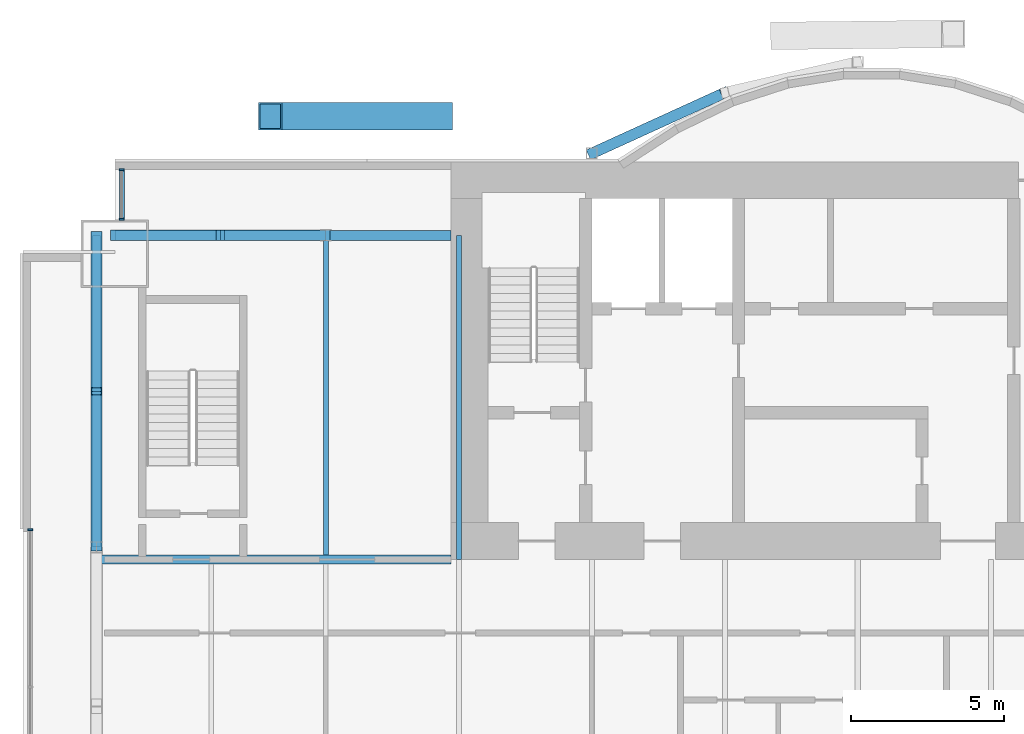
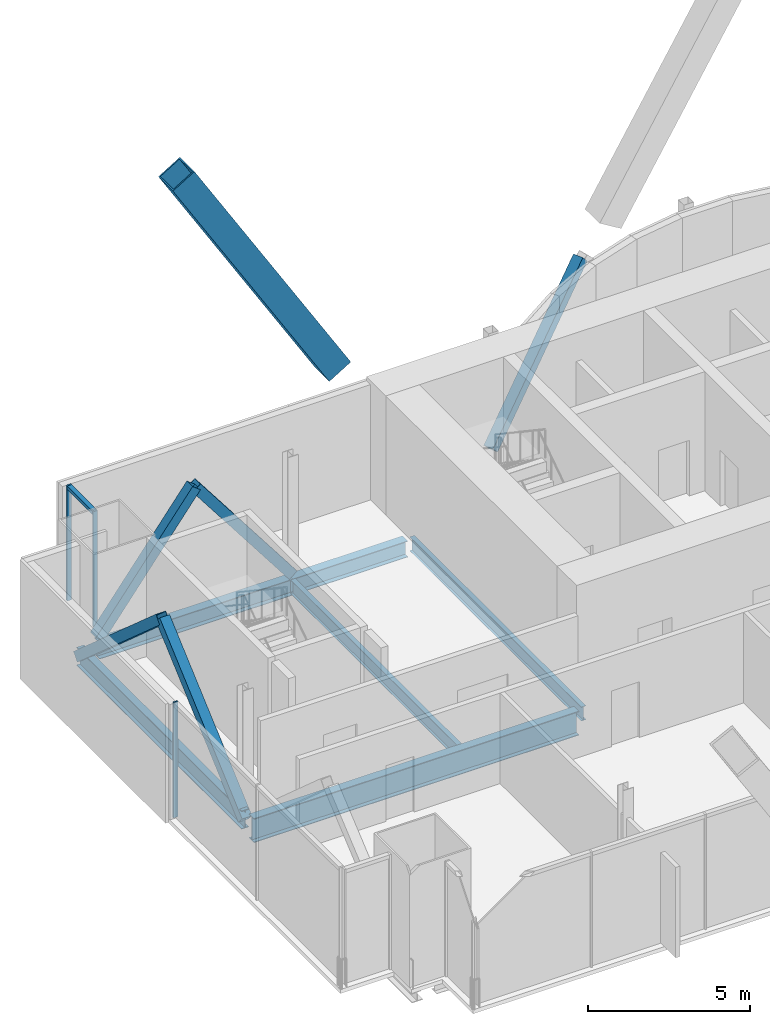
# One storey, part 7 of 19: 10 members, 6 beams, 2 elements without a shape of their own.
"""IFC4 building model written with IfcOpenShell, lengths in metres."""

import ifcopenshell
import ifcopenshell.guid

model = None  # the IFC model being written
_history = None  # IfcOwnerHistory: only IFC2X3 demands one
_inside = {}  # id of a spatial element -> (the spatial element, [elements in it])
_under = {}  # id of a project, library or spatial element -> (it, [spatial elements below it])
_declared = {}  # id of a project -> (the project, [libraries it declares])
_typed = {}  # id of a type object -> (the type object, [elements of that type])
_made_of = {}  # id of a material, layer set ... -> (it, [elements and type objects made of it])


def new_model(schema):
    """Start an empty IFC model of exactly this schema.

    Asked for "IFC4X3", IfcOpenShell would pick the latest addendum, in which some entities
    have other attributes; the version numbers below select the first issue.
    IFC2X3 requires an IfcOwnerHistory on every rooted entity: one is made here for all.
    """
    global model, _history
    if schema == "IFC4X3":
        model = ifcopenshell.file(schema_version=(4, 3, 0, 0))
    else:
        model = ifcopenshell.file(schema=schema)
    _inside.clear()
    _under.clear()
    _declared.clear()
    _typed.clear()
    _made_of.clear()
    _history = None
    if model.schema == "IFC2X3":
        org = make("IfcOrganization", Name="unknown")
        user = make(
            "IfcPersonAndOrganization",
            ThePerson=make("IfcPerson", FamilyName="unknown"),
            TheOrganization=org,
        )
        app = make(
            "IfcApplication",
            ApplicationDeveloper=org,
            Version="unknown",
            ApplicationFullName="unknown",
            ApplicationIdentifier="unknown",
        )
        _history = make(
            "IfcOwnerHistory",
            OwningUser=user,
            OwningApplication=app,
            ChangeAction="ADDED",
            CreationDate=0,
        )
    return model


def make(cls, **values):
    """One entity of the class cls with the attributes given. An attribute that is None is left unset."""
    return model.create_entity(
        cls, **{name: value for name, value in values.items() if value is not None}
    )


def rooted(cls, **values):
    """An entity with a GlobalId (a new one), such as an element, a storey or a relation."""
    return make(cls, GlobalId=ifcopenshell.guid.new(), OwnerHistory=_history, **values)


def si_unit(unit_type, name, prefix=None):
    """IfcSIUnit, for example si_unit("LENGTHUNIT", "METRE", prefix="MILLI")."""
    return make("IfcSIUnit", UnitType=unit_type, Prefix=prefix, Name=name)


def assignment(units):
    """IfcUnitAssignment: the units of a project."""
    return None if units is None else make("IfcUnitAssignment", Units=units)


def point(xyz):
    """IfcCartesianPoint."""
    return None if xyz is None else make("IfcCartesianPoint", Coordinates=xyz)


def direction(xyz):
    """IfcDirection."""
    return None if xyz is None else make("IfcDirection", DirectionRatios=xyz)


def frame(location, z_axis=None, x_axis=None):
    """IfcAxis2Placement3D, a coordinate frame: its origin and axes. An axis left out is left unset."""
    return make(
        "IfcAxis2Placement3D",
        Location=point(location),
        Axis=direction(z_axis),
        RefDirection=direction(x_axis),
    )


def frame_2d(location, x_axis=None):
    """IfcAxis2Placement2D, a coordinate frame in the plane: its origin and x axis."""
    return make(
        "IfcAxis2Placement2D", Location=point(location), RefDirection=direction(x_axis)
    )


def origin():
    """The frame at (0, 0, 0) with its axes left unset."""
    return frame((0.0, 0.0, 0.0))


def origin_2d():
    """The frame at (0, 0) in the plane with its x axis left unset."""
    return frame_2d((0.0, 0.0))


def place(relative_to, where):
    """IfcLocalPlacement: puts the frame where relative to a parent placement (None: the world)."""
    return make(
        "IfcLocalPlacement", PlacementRelTo=relative_to, RelativePlacement=where
    )


def context(
    kind, dimensions, precision=None, world=None, true_north=None, identifier=None
):
    """IfcGeometricRepresentationContext, for example the 3D "Model" context."""
    return make(
        "IfcGeometricRepresentationContext",
        ContextIdentifier=identifier,
        ContextType=kind,
        CoordinateSpaceDimension=dimensions,
        Precision=precision,
        WorldCoordinateSystem=world,
        TrueNorth=true_north,
    )


def subcontext(parent, identifier, kind, view, scale=None):
    """IfcGeometricRepresentationSubContext, for example "Body" below "Model"."""
    return make(
        "IfcGeometricRepresentationSubContext",
        ContextIdentifier=identifier,
        ContextType=kind,
        ParentContext=parent,
        TargetScale=scale,
        TargetView=view,
    )


def project(units=None, contexts=None):
    """IfcProject with its units and contexts."""
    return rooted(
        "IfcProject",
        Name="project",
        RepresentationContexts=contexts,
        UnitsInContext=assignment(units),
    )


def spatial(cls, under=None, at=None, **own):
    """A site, building, storey or space (cls), placed at a placement, below another one or the project."""
    s = rooted(cls, ObjectPlacement=at, **own)
    if under is not None:
        _under.setdefault(under.id(), (under, []))[1].append(s)
    return s


def profile(cls, at=None, kind="AREA", **sizes):
    """A parametric profile (cls). Its sizes go by their IFC names, for example OverallWidth=200.0."""
    return make(cls, ProfileType=kind, Position=at, **sizes)


def rectangle(**sizes):
    """IfcRectangleProfileDef."""
    return profile("IfcRectangleProfileDef", **sizes)


def hollow_rectangle(**sizes):
    """IfcRectangleHollowProfileDef."""
    return profile("IfcRectangleHollowProfileDef", **sizes)


def i_section(**sizes):
    """IfcIShapeProfileDef."""
    return profile("IfcIShapeProfileDef", **sizes)


def extrude(swept, where, along, depth):
    """IfcExtrudedAreaSolid: the profile swept, set in the frame where, extruded along a direction by depth."""
    return make(
        "IfcExtrudedAreaSolid",
        SweptArea=swept,
        Position=where,
        ExtrudedDirection=direction(along),
        Depth=depth,
    )


def shape(context_of_items, identifier, shape_type, items):
    """IfcShapeRepresentation: the items that make up one representation, for example the "Body"."""
    return make(
        "IfcShapeRepresentation",
        ContextOfItems=context_of_items,
        RepresentationIdentifier=identifier,
        RepresentationType=shape_type,
        Items=items,
    )


def material(Name=None, Category=None):
    """IfcMaterial."""
    return make("IfcMaterial", Name=Name, Category=Category)


def material_profile(
    of_material, cross_section, Name=None, Category=None, Priority=None
):
    """IfcMaterialProfile: a cross section and its material."""
    return make(
        "IfcMaterialProfile",
        Name=Name,
        Material=of_material,
        Profile=cross_section,
        Priority=Priority,
        Category=Category,
    )


def profile_set(profiles, Name=None, composite=None):
    """IfcMaterialProfileSet."""
    return make(
        "IfcMaterialProfileSet",
        Name=Name,
        MaterialProfiles=profiles,
        CompositeProfile=composite,
    )


def made_of(thing, what):
    """Note that an element or type object is made of a material, layer set ...; save() writes the relation."""
    if what is not None:
        _made_of.setdefault(what.id(), (what, []))[1].append(thing)
    return thing


def type_object(cls, material=None, **own):
    """A type object (cls), such as IfcWallType, which elements share."""
    return made_of(rooted(cls, **own), material)


def element(
    cls,
    number,
    at=None,
    inside=None,
    cuts=None,
    type_object=None,
    material=None,
    context=None,
    identifier="Body",
    shape_type=None,
    held_by="IfcProductDefinitionShape",
    body=None,
    shapes=None,
    **own,
):
    """One element of the class cls, such as IfcWall. Its Tag is "e" and its number.

    at: its placement. inside: the storey or other place that contains it. cuts: it is an
    opening in that element (IfcRelVoidsElement). A single representation is given by context,
    identifier, shape_type and body (its items); several are given by shapes. held_by: the class
    of the entity that holds the representations. save() writes the other relations.
    """
    e = rooted(cls, Tag="e%d" % number, ObjectPlacement=at, **own)
    if body is not None:
        shapes = [shape(context, identifier, shape_type, body)]
    if shapes is not None:
        e.Representation = make(held_by, Representations=shapes)
    if inside is not None:
        _inside.setdefault(inside.id(), (inside, []))[1].append(e)
    if cuts is not None:
        rooted(
            "IfcRelVoidsElement", RelatingBuildingElement=cuts, RelatedOpeningElement=e
        )
    if type_object is not None:
        _typed.setdefault(type_object.id(), (type_object, []))[1].append(e)
    return made_of(e, material)


def aggregate(whole, parts):
    """IfcRelAggregates: a whole, such as a stair, and the parts it consists of."""
    return rooted("IfcRelAggregates", RelatingObject=whole, RelatedObjects=parts)


def save(model, path):
    """Write the relations noted so far, then the file.

    IfcRelAggregates (storeys below a building ...), IfcRelContainedInSpatialStructure (elements
    in a storey), IfcRelDefinesByType, IfcRelAssociatesMaterial and IfcRelDeclares: one each for
    every whole, place, type object, material and project.
    """
    for whole, parts in _under.values():
        aggregate(whole, parts)
    for where, things in _inside.values():
        rooted(
            "IfcRelContainedInSpatialStructure",
            RelatedElements=things,
            RelatingStructure=where,
        )
    for kind, things in _typed.values():
        rooted("IfcRelDefinesByType", RelatedObjects=things, RelatingType=kind)
    for what, things in _made_of.values():
        rooted("IfcRelAssociatesMaterial", RelatedObjects=things, RelatingMaterial=what)
    for by, libraries in _declared.values():
        rooted("IfcRelDeclares", RelatingContext=by, RelatedDefinitions=libraries)
    model.write(path)


model = new_model("IFC4")

# Units and contexts
model_context = context("Model", 3, precision=1e-05, world=origin(), true_north=direction((0.0, 1.0)))
body_context = subcontext(model_context, "Body", "Model", "MODEL_VIEW")
ifc_project = project(units=[si_unit("LENGTHUNIT", "METRE"), si_unit("AREAUNIT", "SQUARE_METRE"), si_unit("VOLUMEUNIT", "CUBIC_METRE"), si_unit("PLANEANGLEUNIT", "RADIAN"), si_unit("MASSUNIT", "GRAM", prefix="KILO")], contexts=[model_context])

# Site, building, storey
site_placement = place(None, origin())
site = spatial("IfcSite", under=ifc_project, at=site_placement, CompositionType="ELEMENT")
building_placement = place(site_placement, origin())
building = spatial("IfcBuilding", under=site, at=building_placement, Name="Bicima Exchange Tower", CompositionType="ELEMENT")
storey_placement = place(building_placement, frame((0.0, 0.0, 324.5)))
storey = spatial("IfcBuildingStorey", under=building, at=storey_placement, Name="L73", CompositionType="ELEMENT", Elevation=324.5)

# Beam
ifc_material_1 = material(Name="Steel ASTM A992 Gr 50", Category="steel")
ifc_material_profile_1 = material_profile(ifc_material_1, i_section(OverallWidth=0.3046875, OverallDepth=0.911865234375, WebThickness=0.015869140625, FlangeThickness=0.02392578125, at=origin_2d()))
ifc_profile_set_1 = profile_set([ifc_material_profile_1], Name="Steel ASTM A992 Gr 50")
beam_type_1 = type_object("IfcBeamType", Name="Core-line girder W36x150", PredefinedType="BEAM", material=ifc_profile_set_1)
beam_1_placement = place(storey_placement, frame((-22.0, -13.0, -0.60595703125), z_axis=(-1.0, 0.0, 0.0), x_axis=(0.0, -1.0, 0.0)))
element("IfcBeam", 1, at=beam_1_placement, inside=storey, type_object=beam_type_1, Name="Core-line girder", PredefinedType="BEAM", context=body_context, shape_type="SweptSolid", body=[
    extrude(i_section(OverallWidth=0.3046875, OverallDepth=0.911865234375, WebThickness=0.015869140625, FlangeThickness=0.02392578125, at=origin_2d()), origin(), (0.0, 0.0, 1.0), 11.60009765625),
])

# Curtain wall, member
ifc_material_2 = material(Name="Anodised bronze aluminium", Category="aluminium")
curtain_wall_type_1 = type_object("IfcCurtainWallType", Name="End face glass wall", PredefinedType="NOTDEFINED", material=ifc_material_2)
curtain_wall_1_placement = place(storey_placement, origin())
curtain_wall_1 = element("IfcCurtainWall", 2, at=curtain_wall_1_placement, inside=storey, type_object=curtain_wall_type_1, Name="End face glass wall L73 run 2", PredefinedType="NOTDEFINED")
ifc_material_profile_2 = material_profile(ifc_material_2, rectangle(XDim=0.159912109375, YDim=0.06005859375, at=origin_2d()))
ifc_profile_set_2 = profile_set([ifc_material_profile_2], Name="Anodised bronze aluminium")
member_type_1 = type_object("IfcMemberType", Name="End face glass wall mullion 60 x 160", PredefinedType="MULLION", material=ifc_profile_set_2)
member_1_placement = place(storey_placement, frame((-35.77001953125, -12.030029296875, 0.0), z_axis=(0.0, 0.0, 1.0), x_axis=(1.0, 0.0, 0.0)))
member_1 = element("IfcMember", 3, at=member_1_placement, type_object=member_type_1, Name="End face glass wall mullion 1", PredefinedType="MULLION", context=body_context, shape_type="SweptSolid", body=[
    extrude(rectangle(XDim=0.159912109375, YDim=0.06005859375, at=origin_2d()), origin(), (0.0, 0.0, 1.0), 4.35009765625),
])
aggregate(curtain_wall_1, [member_1])

# Beam
ifc_material_profile_3 = material_profile(ifc_material_1, i_section(OverallWidth=0.256591796875, OverallDepth=0.693359375, WebThickness=0.014404296875, FlangeThickness=0.023681640625, at=origin_2d()))
ifc_profile_set_3 = profile_set([ifc_material_profile_3], Name="Steel ASTM A992 Gr 50")
beam_type_2 = type_object("IfcBeamType", Name="End girder W27x114", PredefinedType="BEAM", material=ifc_profile_set_3)
beam_2_placement = place(storey_placement, frame((-33.60009765625, -2.39990234375, -0.49658203125), z_axis=(0.0, -1.0, 0.0), x_axis=(1.0, 0.0, 0.0)))
element("IfcBeam", 4, at=beam_2_placement, inside=storey, type_object=beam_type_2, Name="End girder", PredefinedType="BEAM", context=body_context, shape_type="SweptSolid", body=[
    extrude(i_section(OverallWidth=0.256591796875, OverallDepth=0.693359375, WebThickness=0.014404296875, FlangeThickness=0.023681640625, at=origin_2d()), origin(), (0.0, 0.0, 1.0), 10.2001953125),
])

# Member
ifc_material_3 = material(Name="Steel ASTM A572 Gr 50", Category="steel")
ifc_material_profile_4 = material_profile(ifc_material_3, hollow_rectangle(XDim=0.89990234375, YDim=0.89990234375, WallThickness=0.050048828125, at=origin_2d()))
ifc_profile_set_4 = profile_set([ifc_material_profile_4], Name="Steel ASTM A572 Gr 50")
member_type_2 = type_object("IfcMemberType", Name="Exo mega brace BOX 900x900x50", PredefinedType="BRACE", material=ifc_profile_set_4)
member_2_placement = place(storey_placement, frame((-22.333251953125, 1.5, 4.166748046875), z_axis=(-0.521243487082, 0.0, 0.853408007447), x_axis=(0.0, -1.0, 0.0)))
element("IfcMember", 5, at=member_2_placement, inside=storey, type_object=member_type_2, Name="Exo mega brace rear", PredefinedType="BRACE", context=body_context, shape_type="SweptSolid", body=[
    extrude(hollow_rectangle(XDim=0.89990234375, YDim=0.89990234375, WallThickness=0.050048828125, at=origin_2d()), origin(), (0.0, 0.0, 1.0), 10.7119140625),
])

# Beams
ifc_material_profile_5 = material_profile(ifc_material_1, i_section(OverallWidth=0.165771484375, OverallDepth=0.5283203125, WebThickness=0.009765625, FlangeThickness=0.013671875, at=origin_2d()))
ifc_profile_set_5 = profile_set([ifc_material_profile_5], Name="Steel ASTM A992 Gr 50")
beam_type_3 = type_object("IfcBeamType", Name="Floor beam W21x50", PredefinedType="JOIST", material=ifc_profile_set_5)
beam_3_placement = place(storey_placement, frame((-26.10009765625, -2.5625, -0.414306640625), z_axis=(0.0, -1.0, 0.0), x_axis=(1.0, 0.0, 0.0)))
element("IfcBeam", 6, at=beam_3_placement, inside=storey, type_object=beam_type_3, Name="Floor beam", PredefinedType="JOIST", context=body_context, shape_type="SweptSolid", body=[
    extrude(i_section(OverallWidth=0.165771484375, OverallDepth=0.5283203125, WebThickness=0.009765625, FlangeThickness=0.013671875, at=origin_2d()), origin(), (0.0, 0.0, 1.0), 10.28515625),
])
beam_4_placement = place(storey_placement, frame((-21.75, -2.39990234375, -0.414306640625), z_axis=(0.0, -1.0, 0.0), x_axis=(1.0, 0.0, 0.0)))
element("IfcBeam", 7, at=beam_4_placement, inside=storey, type_object=beam_type_3, Name="Floor beam", PredefinedType="JOIST", context=body_context, shape_type="SweptSolid", body=[
    extrude(i_section(OverallWidth=0.165771484375, OverallDepth=0.5283203125, WebThickness=0.009765625, FlangeThickness=0.013671875, at=origin_2d()), origin(), (0.0, 0.0, 1.0), 10.60009765625),
])

# Curtain wall, members
curtain_wall_type_2 = type_object("IfcCurtainWallType", Name="Front glass wall", PredefinedType="NOTDEFINED", material=ifc_material_2)
curtain_wall_2_placement = place(storey_placement, origin())
curtain_wall_2 = element("IfcCurtainWall", 8, at=curtain_wall_2_placement, inside=storey, type_object=curtain_wall_type_2, Name="Front glass wall L73 run 1", PredefinedType="NOTDEFINED")
member_type_3 = type_object("IfcMemberType", Name="Front glass wall mullion 60 x 160", PredefinedType="MULLION", material=ifc_profile_set_2)
member_3_placement = place(storey_placement, frame((-32.77001953125, -0.260009765625, 0.0), z_axis=(0.0, 0.0, 1.0), x_axis=(1.0, 0.0, 0.0)))
member_3 = element("IfcMember", 9, at=member_3_placement, type_object=member_type_3, Name="Front glass wall mullion 1", PredefinedType="MULLION", context=body_context, shape_type="SweptSolid", body=[
    extrude(rectangle(XDim=0.159912109375, YDim=0.06005859375, at=origin_2d()), origin(), (0.0, 0.0, 1.0), 4.35009765625),
])
member_4_placement = place(storey_placement, frame((-32.77001953125, -1.8701171875, 0.0), z_axis=(0.0, 0.0, 1.0), x_axis=(1.0, 0.0, 0.0)))
member_4 = element("IfcMember", 10, at=member_4_placement, type_object=member_type_3, Name="Front glass wall mullion 2", PredefinedType="MULLION", context=body_context, shape_type="SweptSolid", body=[
    extrude(rectangle(XDim=0.159912109375, YDim=0.06005859375, at=origin_2d()), origin(), (0.0, 0.0, 1.0), 4.35009765625),
])
ifc_material_profile_6 = material_profile(ifc_material_2, rectangle(XDim=0.159912109375, YDim=0.139892578125, at=origin_2d()))
ifc_profile_set_6 = profile_set([ifc_material_profile_6], Name="Anodised bronze aluminium")
member_type_4 = type_object("IfcMemberType", Name="Front glass wall transom 140 x 160", PredefinedType="USERDEFINED", material=ifc_profile_set_6)
member_5_placement = place(storey_placement, frame((-32.77001953125, -0.2900390625, 4.280029296875), z_axis=(0.0, -1.0, 0.0), x_axis=(1.0, 0.0, 0.0)))
member_5 = element("IfcMember", 11, at=member_5_placement, type_object=member_type_4, Name="Front glass wall transom 1.1", ObjectType="TRANSOM", PredefinedType="USERDEFINED", context=body_context, shape_type="SweptSolid", body=[
    extrude(rectangle(XDim=0.159912109375, YDim=0.139892578125, at=origin_2d()), origin(), (0.0, 0.0, 1.0), 1.550048828125),
])
aggregate(curtain_wall_2, [member_3, member_4, member_5])

# Members
ifc_material_profile_7 = material_profile(ifc_material_3, hollow_rectangle(XDim=0.355712890625, YDim=0.355712890625, WallThickness=0.01171875, at=origin_2d()))
ifc_profile_set_7 = profile_set([ifc_material_profile_7], Name="Steel ASTM A572 Gr 50")
member_type_5 = type_object("IfcMemberType", Name="Mega brace HSS14x14x1/2", PredefinedType="BRACE", material=ifc_profile_set_7)
member_6_placement = place(storey_placement, frame((-17.39990234375, 0.278076171875, 0.0), z_axis=(0.662507516739, 0.302231638101, 0.685375683254), x_axis=(-0.415045223819, 0.909800781592, 0.0)))
element("IfcMember", 12, at=member_6_placement, inside=storey, type_object=member_type_5, Name="Mega brace rexo", PredefinedType="BRACE", context=body_context, shape_type="SweptSolid", body=[
    extrude(hollow_rectangle(XDim=0.355712890625, YDim=0.355712890625, WallThickness=0.01171875, at=origin_2d()), origin(), (0.0, 0.0, 1.0), 6.565673828125),
])
for number, where, z_axis, x_axis, name in (
    (13, (-33.0, -2.39990234375, 0.0), (0.608426120198, 0.0, 0.793610519248), (0.0, 1.0, 0.0), "Mega brace rear"),
    (14, (-26.10009765625, -2.39990234375, 0.0), (-0.608426120198, 0.0, 0.793610519248), (0.0, -1.0, 0.0), "Mega brace rear"),
):
    element("IfcMember", number, at=place(storey_placement, frame(where, z_axis=z_axis, x_axis=x_axis)), inside=storey, type_object=member_type_5, Name=name, PredefinedType="BRACE", context=body_context, shape_type="SweptSolid", body=[
        extrude(hollow_rectangle(XDim=0.355712890625, YDim=0.355712890625, WallThickness=0.01171875, at=origin_2d()), origin(), (0.0, 0.0, 1.0), 5.670166015625),
    ])
for number, where, z_axis, x_axis, name in (
    (15, (-33.60009765625, -2.39990234375, -0.49658203125), (0.0, -0.749844140428, 0.661614513948), (1.0, 0.0, 0.0), "Mega brace west end"),
    (16, (-33.60009765625, -12.60009765625, -0.49658203125), (0.0, 0.749844140428, 0.661614513948), (-1.0, 0.0, 0.0), "Mega brace west end"),
):
    element("IfcMember", number, at=place(storey_placement, frame(where, z_axis=z_axis, x_axis=x_axis)), inside=storey, type_object=member_type_5, Name=name, PredefinedType="BRACE", context=body_context, shape_type="SweptSolid", body=[
        extrude(hollow_rectangle(XDim=0.355712890625, YDim=0.355712890625, WallThickness=0.01171875, at=origin_2d()), origin(), (0.0, 0.0, 1.0), 6.801513671875),
    ])

# Beams
ifc_material_profile_8 = material_profile(ifc_material_1, i_section(OverallWidth=0.3251953125, OverallDepth=0.612060546875, WebThickness=0.0126953125, FlangeThickness=0.01904296875, at=origin_2d()))
ifc_profile_set_8 = profile_set([ifc_material_profile_8], Name="Steel ASTM A992 Gr 50")
beam_type_4 = type_object("IfcBeamType", Name="Rear girder W24x104", PredefinedType="BEAM", material=ifc_profile_set_8)
beam_5_placement = place(storey_placement, frame((-22.0, -2.39990234375, -0.4560546875), z_axis=(-1.0, 0.0, 0.0), x_axis=(0.0, -1.0, 0.0)))
element("IfcBeam", 17, at=beam_5_placement, inside=storey, type_object=beam_type_4, Name="Rear girder", PredefinedType="BEAM", context=body_context, shape_type="SweptSolid", body=[
    extrude(i_section(OverallWidth=0.3251953125, OverallDepth=0.612060546875, WebThickness=0.0126953125, FlangeThickness=0.01904296875, at=origin_2d()), origin(), (0.0, 0.0, 1.0), 4.10009765625),
])
beam_6_placement = place(storey_placement, frame((-26.10009765625, -2.39990234375, -0.4560546875), z_axis=(-1.0, 0.0, 0.0), x_axis=(0.0, -1.0, 0.0)))
element("IfcBeam", 18, at=beam_6_placement, inside=storey, type_object=beam_type_4, Name="Rear girder", PredefinedType="BEAM", context=body_context, shape_type="SweptSolid", body=[
    extrude(i_section(OverallWidth=0.3251953125, OverallDepth=0.612060546875, WebThickness=0.0126953125, FlangeThickness=0.01904296875, at=origin_2d()), origin(), (0.0, 0.0, 1.0), 6.89990234375),
])

save(model, "model.ifc")
